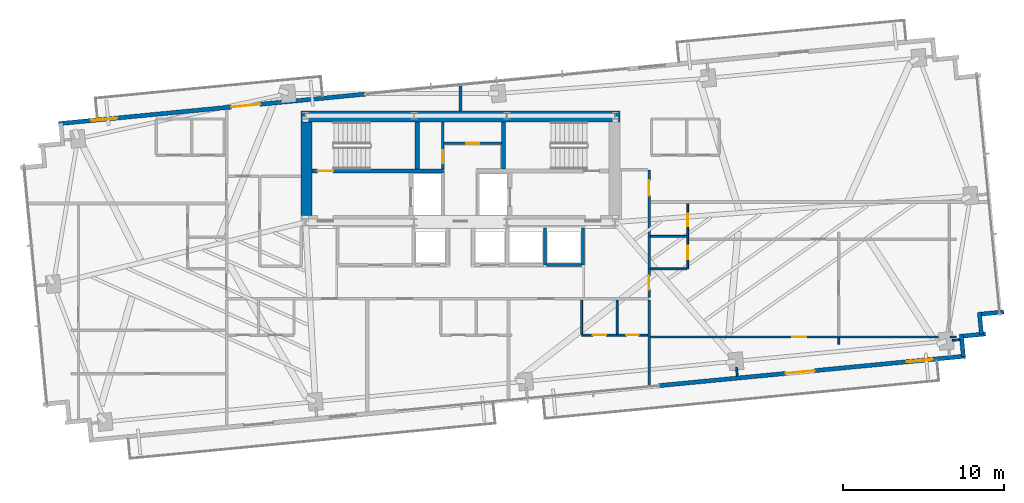
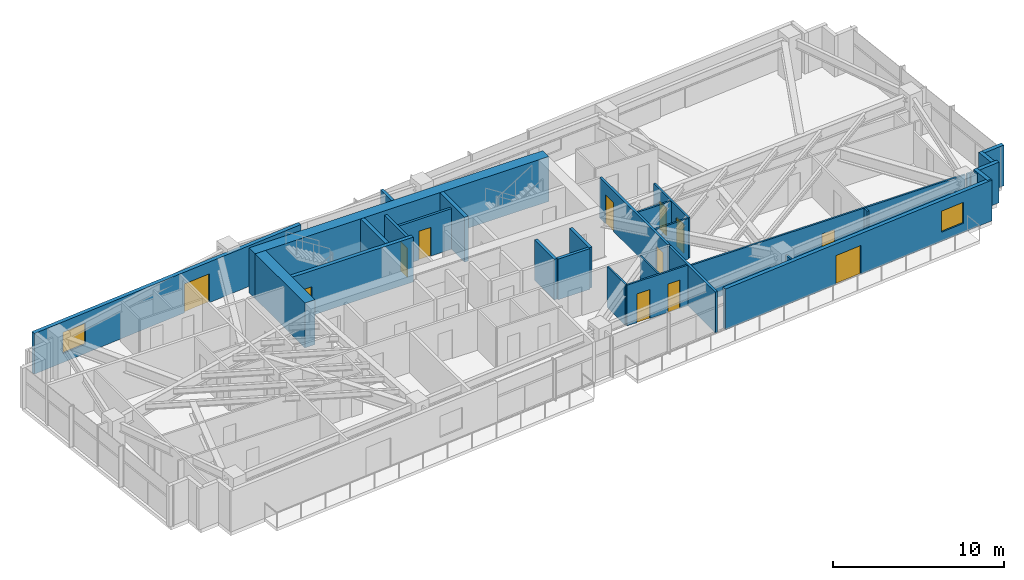
# One storey, part 23 of 27: 30 walls, 12 doors, 2 windows, 14 openings.
"""IFC4 building model written with IfcOpenShell, lengths in metres."""

import ifcopenshell
import ifcopenshell.guid

model = None  # the IFC model being written
_history = None  # IfcOwnerHistory: only IFC2X3 demands one
_inside = {}  # id of a spatial element -> (the spatial element, [elements in it])
_under = {}  # id of a project, library or spatial element -> (it, [spatial elements below it])
_declared = {}  # id of a project -> (the project, [libraries it declares])
_typed = {}  # id of a type object -> (the type object, [elements of that type])
_made_of = {}  # id of a material, layer set ... -> (it, [elements and type objects made of it])


def new_model(schema):
    """Start an empty IFC model of exactly this schema.

    Asked for "IFC4X3", IfcOpenShell would pick the latest addendum, in which some entities
    have other attributes; the version numbers below select the first issue.
    IFC2X3 requires an IfcOwnerHistory on every rooted entity: one is made here for all.
    """
    global model, _history
    if schema == "IFC4X3":
        model = ifcopenshell.file(schema_version=(4, 3, 0, 0))
    else:
        model = ifcopenshell.file(schema=schema)
    _inside.clear()
    _under.clear()
    _declared.clear()
    _typed.clear()
    _made_of.clear()
    _history = None
    if model.schema == "IFC2X3":
        org = make("IfcOrganization", Name="unknown")
        user = make(
            "IfcPersonAndOrganization",
            ThePerson=make("IfcPerson", FamilyName="unknown"),
            TheOrganization=org,
        )
        app = make(
            "IfcApplication",
            ApplicationDeveloper=org,
            Version="unknown",
            ApplicationFullName="unknown",
            ApplicationIdentifier="unknown",
        )
        _history = make(
            "IfcOwnerHistory",
            OwningUser=user,
            OwningApplication=app,
            ChangeAction="ADDED",
            CreationDate=0,
        )
    return model


def make(cls, **values):
    """One entity of the class cls with the attributes given. An attribute that is None is left unset."""
    return model.create_entity(
        cls, **{name: value for name, value in values.items() if value is not None}
    )


def rooted(cls, **values):
    """An entity with a GlobalId (a new one), such as an element, a storey or a relation."""
    return make(cls, GlobalId=ifcopenshell.guid.new(), OwnerHistory=_history, **values)


def si_unit(unit_type, name, prefix=None):
    """IfcSIUnit, for example si_unit("LENGTHUNIT", "METRE", prefix="MILLI")."""
    return make("IfcSIUnit", UnitType=unit_type, Prefix=prefix, Name=name)


def assignment(units):
    """IfcUnitAssignment: the units of a project."""
    return None if units is None else make("IfcUnitAssignment", Units=units)


def point(xyz):
    """IfcCartesianPoint."""
    return None if xyz is None else make("IfcCartesianPoint", Coordinates=xyz)


def direction(xyz):
    """IfcDirection."""
    return None if xyz is None else make("IfcDirection", DirectionRatios=xyz)


def frame(location, z_axis=None, x_axis=None):
    """IfcAxis2Placement3D, a coordinate frame: its origin and axes. An axis left out is left unset."""
    return make(
        "IfcAxis2Placement3D",
        Location=point(location),
        Axis=direction(z_axis),
        RefDirection=direction(x_axis),
    )


def frame_2d(location, x_axis=None):
    """IfcAxis2Placement2D, a coordinate frame in the plane: its origin and x axis."""
    return make(
        "IfcAxis2Placement2D", Location=point(location), RefDirection=direction(x_axis)
    )


def origin():
    """The frame at (0, 0, 0) with its axes left unset."""
    return frame((0.0, 0.0, 0.0))


def place(relative_to, where):
    """IfcLocalPlacement: puts the frame where relative to a parent placement (None: the world)."""
    return make(
        "IfcLocalPlacement", PlacementRelTo=relative_to, RelativePlacement=where
    )


def context(
    kind, dimensions, precision=None, world=None, true_north=None, identifier=None
):
    """IfcGeometricRepresentationContext, for example the 3D "Model" context."""
    return make(
        "IfcGeometricRepresentationContext",
        ContextIdentifier=identifier,
        ContextType=kind,
        CoordinateSpaceDimension=dimensions,
        Precision=precision,
        WorldCoordinateSystem=world,
        TrueNorth=true_north,
    )


def subcontext(parent, identifier, kind, view, scale=None):
    """IfcGeometricRepresentationSubContext, for example "Body" below "Model"."""
    return make(
        "IfcGeometricRepresentationSubContext",
        ContextIdentifier=identifier,
        ContextType=kind,
        ParentContext=parent,
        TargetScale=scale,
        TargetView=view,
    )


def project(units=None, contexts=None):
    """IfcProject with its units and contexts."""
    return rooted(
        "IfcProject",
        Name="project",
        RepresentationContexts=contexts,
        UnitsInContext=assignment(units),
    )


def spatial(cls, under=None, at=None, **own):
    """A site, building, storey or space (cls), placed at a placement, below another one or the project."""
    s = rooted(cls, ObjectPlacement=at, **own)
    if under is not None:
        _under.setdefault(under.id(), (under, []))[1].append(s)
    return s


def profile(cls, at=None, kind="AREA", **sizes):
    """A parametric profile (cls). Its sizes go by their IFC names, for example OverallWidth=200.0."""
    return make(cls, ProfileType=kind, Position=at, **sizes)


def rectangle(**sizes):
    """IfcRectangleProfileDef."""
    return profile("IfcRectangleProfileDef", **sizes)


def extrude(swept, where, along, depth):
    """IfcExtrudedAreaSolid: the profile swept, set in the frame where, extruded along a direction by depth."""
    return make(
        "IfcExtrudedAreaSolid",
        SweptArea=swept,
        Position=where,
        ExtrudedDirection=direction(along),
        Depth=depth,
    )


def shape(context_of_items, identifier, shape_type, items):
    """IfcShapeRepresentation: the items that make up one representation, for example the "Body"."""
    return make(
        "IfcShapeRepresentation",
        ContextOfItems=context_of_items,
        RepresentationIdentifier=identifier,
        RepresentationType=shape_type,
        Items=items,
    )


def source(mapping_origin, context_of_items, identifier, shape_type, items):
    """IfcRepresentationMap: a shape defined once, which mapped items show again and again."""
    return make(
        "IfcRepresentationMap",
        MappingOrigin=mapping_origin,
        MappedRepresentation=shape(context_of_items, identifier, shape_type, items),
    )


def transform(
    local_origin,
    x_axis=None,
    y_axis=None,
    z_axis=None,
    scale=None,
    scale2=None,
    scale3=None,
    uniform=True,
):
    """IfcCartesianTransformationOperator3D, or its non-uniform kind. x_axis, y_axis, z_axis: its Axis1, 2, 3."""
    if uniform:
        return make(
            "IfcCartesianTransformationOperator3D",
            Axis1=direction(x_axis),
            Axis2=direction(y_axis),
            LocalOrigin=point(local_origin),
            Scale=scale,
            Axis3=direction(z_axis),
        )
    return make(
        "IfcCartesianTransformationOperator3DnonUniform",
        Axis1=direction(x_axis),
        Axis2=direction(y_axis),
        LocalOrigin=point(local_origin),
        Scale=scale,
        Axis3=direction(z_axis),
        Scale2=scale2,
        Scale3=scale3,
    )


def mapped(mapping_source, mapping_target):
    """IfcMappedItem: shows the shape of a source again, moved by a transform."""
    return make(
        "IfcMappedItem", MappingSource=mapping_source, MappingTarget=mapping_target
    )


def material(Name=None, Category=None):
    """IfcMaterial."""
    return make("IfcMaterial", Name=Name, Category=Category)


def layer(
    of_material, thickness, ventilated=None, Name=None, Category=None, Priority=None
):
    """IfcMaterialLayer: one layer of a wall or slab, of a material (None: an air gap)."""
    return make(
        "IfcMaterialLayer",
        Material=of_material,
        LayerThickness=thickness,
        IsVentilated=ventilated,
        Name=Name,
        Category=Category,
        Priority=Priority,
    )


def layer_set(layers, Name=None):
    """IfcMaterialLayerSet."""
    return make("IfcMaterialLayerSet", MaterialLayers=layers, LayerSetName=Name)


def made_of(thing, what):
    """Note that an element or type object is made of a material, layer set ...; save() writes the relation."""
    if what is not None:
        _made_of.setdefault(what.id(), (what, []))[1].append(thing)
    return thing


def type_object(cls, material=None, **own):
    """A type object (cls), such as IfcWallType, which elements share."""
    return made_of(rooted(cls, **own), material)


def type_shapes(of_type, sources):
    """Give a type object the sources (RepresentationMaps) that its elements show as mapped items."""
    of_type.RepresentationMaps = sources


def element(
    cls,
    number,
    at=None,
    inside=None,
    cuts=None,
    type_object=None,
    material=None,
    context=None,
    identifier="Body",
    shape_type=None,
    held_by="IfcProductDefinitionShape",
    body=None,
    shapes=None,
    **own,
):
    """One element of the class cls, such as IfcWall. Its Tag is "e" and its number.

    at: its placement. inside: the storey or other place that contains it. cuts: it is an
    opening in that element (IfcRelVoidsElement). A single representation is given by context,
    identifier, shape_type and body (its items); several are given by shapes. held_by: the class
    of the entity that holds the representations. save() writes the other relations.
    """
    e = rooted(cls, Tag="e%d" % number, ObjectPlacement=at, **own)
    if body is not None:
        shapes = [shape(context, identifier, shape_type, body)]
    if shapes is not None:
        e.Representation = make(held_by, Representations=shapes)
    if inside is not None:
        _inside.setdefault(inside.id(), (inside, []))[1].append(e)
    if cuts is not None:
        rooted(
            "IfcRelVoidsElement", RelatingBuildingElement=cuts, RelatedOpeningElement=e
        )
    if type_object is not None:
        _typed.setdefault(type_object.id(), (type_object, []))[1].append(e)
    return made_of(e, material)


def fill(opening, filler):
    """IfcRelFillsElement: the door or window that sits in an opening."""
    return rooted(
        "IfcRelFillsElement",
        RelatingOpeningElement=opening,
        RelatedBuildingElement=filler,
    )


def aggregate(whole, parts):
    """IfcRelAggregates: a whole, such as a stair, and the parts it consists of."""
    return rooted("IfcRelAggregates", RelatingObject=whole, RelatedObjects=parts)


def save(model, path):
    """Write the relations noted so far, then the file.

    IfcRelAggregates (storeys below a building ...), IfcRelContainedInSpatialStructure (elements
    in a storey), IfcRelDefinesByType, IfcRelAssociatesMaterial and IfcRelDeclares: one each for
    every whole, place, type object, material and project.
    """
    for whole, parts in _under.values():
        aggregate(whole, parts)
    for where, things in _inside.values():
        rooted(
            "IfcRelContainedInSpatialStructure",
            RelatedElements=things,
            RelatingStructure=where,
        )
    for kind, things in _typed.values():
        rooted("IfcRelDefinesByType", RelatedObjects=things, RelatingType=kind)
    for what, things in _made_of.values():
        rooted("IfcRelAssociatesMaterial", RelatedObjects=things, RelatingMaterial=what)
    for by, libraries in _declared.values():
        rooted("IfcRelDeclares", RelatingContext=by, RelatedDefinitions=libraries)
    model.write(path)


model = new_model("IFC4")

# Units and contexts
model_context = context("Model", 3, precision=1e-05, world=origin(), true_north=direction((0.0, 1.0)))
body_context = subcontext(model_context, "Body", "Model", "MODEL_VIEW")
ifc_project = project(units=[si_unit("LENGTHUNIT", "METRE"), si_unit("AREAUNIT", "SQUARE_METRE"), si_unit("VOLUMEUNIT", "CUBIC_METRE"), si_unit("PLANEANGLEUNIT", "RADIAN"), si_unit("MASSUNIT", "GRAM", prefix="KILO")], contexts=[model_context])

# Site, building, storey
site_placement = place(None, origin())
site = spatial("IfcSite", under=ifc_project, at=site_placement, CompositionType="ELEMENT")
building_placement = place(site_placement, origin())
building = spatial("IfcBuilding", under=site, at=building_placement, Name="Astriad Promenade Condominiums", CompositionType="ELEMENT")
storey_placement = place(building_placement, frame((0.0, 0.0, 116.199951171875)))
storey = spatial("IfcBuildingStorey", under=building, at=storey_placement, Name="L33", CompositionType="ELEMENT", Elevation=116.199951171875)

# Walls
ifc_material_1 = material(Name="Concrete C60/75", Category="concrete")
ifc_layer_1 = layer(ifc_material_1, 0.699951171875)
ifc_layer_set_1 = layer_set([ifc_layer_1], Name="Concrete C60/75")
wall_type_1 = type_object("IfcWallType", Name="CW-SHEAR-700", PredefinedType="SHEAR", material=ifc_layer_set_1)
wall_1_placement = place(storey_placement, frame((26.10009765625, 23.949951171875, 0.0), z_axis=(0.0, 0.0, 1.0), x_axis=(1.0, 0.0, 0.0)))
element("IfcWall", 1, at=wall_1_placement, inside=storey, type_object=wall_type_1, Name="CW-CORE-N-L33", PredefinedType="SHEAR", context=body_context, shape_type="SweptSolid", body=[
    extrude(rectangle(XDim=19.7998046875, YDim=0.699951171875, at=frame_2d((9.89990234375, 0.0))), origin(), (0.0, 0.0, 1.0), 3.199951171875),
])
wall_2_placement = place(storey_placement, frame((26.449951171875, 17.802001953125, 0.0), z_axis=(0.0, 0.0, 1.0), x_axis=(0.0, 1.0, 0.0)))
element("IfcWall", 2, at=wall_2_placement, inside=storey, type_object=wall_type_1, Name="CW-CORE-W-L33", PredefinedType="SHEAR", context=body_context, shape_type="SweptSolid", body=[
    extrude(rectangle(XDim=5.7958984375, YDim=0.699951171875, at=frame_2d((2.89794921875, 0.0))), origin(), (0.0, 0.0, 1.0), 3.199951171875),
])

# Wall, opening, door
ifc_material_2 = material(Name="Concrete C50/60", Category="concrete")
ifc_layer_2 = layer(ifc_material_2, 0.25)
ifc_layer_set_2 = layer_set([ifc_layer_2], Name="Concrete C50/60")
wall_type_2 = type_object("IfcWallType", Name="WALL-CORE-INT-250", PredefinedType="SOLIDWALL", material=ifc_layer_set_2)
wall_3_placement = place(storey_placement, frame((26.802001953125, 20.574951171875, 0.0), z_axis=(0.0, 0.0, 1.0), x_axis=(1.0, 0.0, 0.0)))
wall_3 = element("IfcWall", 3, at=wall_3_placement, inside=storey, type_object=wall_type_2, Name="CW-INT-H1-L33", PredefinedType="SOLIDWALL", context=body_context, shape_type="SweptSolid", body=[
    extrude(rectangle(XDim=8.14794921875, YDim=0.25, at=frame_2d((4.073974609375, 0.0))), origin(), (0.0, 0.0, 1.0), 3.199951171875),
])
opening_1_placement = place(wall_3_placement, frame((0.347900390625, 0.0, 0.0)))
opening_1 = element("IfcOpeningElement", 4, at=opening_1_placement, cuts=wall_3, Name="Opening FD90-ST-095", PredefinedType="OPENING", context=body_context, shape_type="SweptSolid", body=[
    extrude(rectangle(XDim=0.949951171875, YDim=2.06005859375, at=frame_2d((0.47509765625, 1.030029296875))), frame((0.0, 0.135009765625, 0.0), z_axis=(0.0, -1.0, 0.0), x_axis=(1.0, 0.0, 0.0)), (0.0, 0.0, 1.0), 0.27001953125),
])
ifc_material_3 = material(Name="Fire-Rated Hollow Metal Stair Door")
door_type_1 = type_object("IfcDoorType", Name="FD90-ST-095", OperationType="NOTDEFINED", PredefinedType="DOOR", material=ifc_material_3)
shared_shape_1 = source(origin(), body_context, "Body", "SweptSolid", [
    extrude(rectangle(XDim=0.949951171875, YDim=2.06005859375, at=frame_2d((0.47509765625, 1.030029296875))), frame((0.0, 0.02490234375, 0.0), z_axis=(0.0, -1.0, 0.0), x_axis=(1.0, 0.0, 0.0)), (0.0, 0.0, 1.0), 0.050048828125),
])
type_shapes(door_type_1, [shared_shape_1])
door_1_placement = place(opening_1_placement, origin())
door_1 = element("IfcDoor", 5, at=door_1_placement, inside=storey, type_object=door_type_1, Name="D-ST1-L33", OperationType="SINGLE_SWING_LEFT", OverallHeight=2.06005859375, OverallWidth=0.949951171875, PredefinedType="DOOR", context=body_context, shape_type="MappedRepresentation", body=[
    mapped(shared_shape_1, transform((0.0, 0.0, 0.0), scale=1.0)),
])
fill(opening_1, door_1)

# Walls
for number, where, z_axis, x_axis, name in (
    (6, (33.324951171875, 20.701904296875, 0.0), (0.0, 0.0, 1.0), (0.0, 1.0, 0.0), "CW-ST1-E-L33"),
    (7, (38.675048828125, 20.701904296875, 0.0), (0.0, 0.0, 1.0), (0.0, 1.0, 0.0), "CW-ST2-W-L33"),
):
    element("IfcWall", number, at=place(storey_placement, frame(where, z_axis=z_axis, x_axis=x_axis)), inside=storey, type_object=wall_type_2, Name=name, PredefinedType="SOLIDWALL", context=body_context, shape_type="SweptSolid", body=[
        extrude(rectangle(XDim=2.89599609375, YDim=0.25, at=frame_2d((1.447998046875, 0.0))), origin(), (0.0, 0.0, 1.0), 3.199951171875),
    ])

# Wall, opening, door
ifc_material_4 = material(Name="Fire-Rated Gypsum Partition")
ifc_layer_3 = layer(ifc_material_4, 0.159912109375)
ifc_layer_set_3 = layer_set([ifc_layer_3], Name="Fire-Rated Gypsum Partition")
wall_type_3 = type_object("IfcWallType", Name="WALL-CORR-160", PredefinedType="PARTITIONING", material=ifc_layer_set_3)
wall_4_placement = place(storey_placement, frame((34.89990234375, 20.701904296875, 0.0), z_axis=(0.0, 0.0, 1.0), x_axis=(0.0, 1.0, 0.0)))
wall_4 = element("IfcWall", 8, at=wall_4_placement, inside=storey, type_object=wall_type_3, Name="CW-AUX-W-L33", PredefinedType="PARTITIONING", context=body_context, shape_type="SweptSolid", body=[
    extrude(rectangle(XDim=2.89599609375, YDim=0.159912109375, at=frame_2d((1.447998046875, 0.0))), origin(), (0.0, 0.0, 1.0), 2.900146484375),
])
opening_2_placement = place(wall_4_placement, frame((0.347900390625, 0.0, 0.0)))
opening_2 = element("IfcOpeningElement", 9, at=opening_2_placement, cuts=wall_4, Name="Opening FD60-SV-080", PredefinedType="OPENING", context=body_context, shape_type="SweptSolid", body=[
    extrude(rectangle(XDim=0.800048828125, YDim=2.050048828125, at=frame_2d((0.39990234375, 1.02490234375))), frame((0.0, 0.08984375, 0.0), z_axis=(0.0, -1.0, 0.0), x_axis=(1.0, 0.0, 0.0)), (0.0, 0.0, 1.0), 0.179931640625),
])
ifc_material_5 = material(Name="Fire-Rated Riser Closet Door")
door_type_2 = type_object("IfcDoorType", Name="FD60-SV-080", OperationType="NOTDEFINED", PredefinedType="DOOR", material=ifc_material_5)
shared_shape_2 = source(origin(), body_context, "Body", "SweptSolid", [
    extrude(rectangle(XDim=0.800048828125, YDim=2.050048828125, at=frame_2d((0.39990234375, 1.02490234375))), frame((0.0, 0.02490234375, 0.0), z_axis=(0.0, -1.0, 0.0), x_axis=(1.0, 0.0, 0.0)), (0.0, 0.0, 1.0), 0.050048828125),
])
type_shapes(door_type_2, [shared_shape_2])
door_2_placement = place(opening_2_placement, origin())
door_2 = element("IfcDoor", 10, at=door_2_placement, inside=storey, type_object=door_type_2, Name="D-AUX1-L33", OperationType="SINGLE_SWING_LEFT", OverallHeight=2.050048828125, OverallWidth=0.800048828125, PredefinedType="DOOR", context=body_context, shape_type="MappedRepresentation", body=[
    mapped(shared_shape_2, transform((0.0, 0.0, 0.0), scale=1.0)),
])
fill(opening_2, door_2)

wall_5_placement = place(storey_placement, frame((34.98193359375, 22.300048828125, 0.0), z_axis=(0.0, 0.0, 1.0), x_axis=(1.0, 0.0, 0.0)))
wall_5 = element("IfcWall", 11, at=wall_5_placement, inside=storey, type_object=wall_type_3, Name="CW-AUX-N-L33", PredefinedType="PARTITIONING", context=body_context, shape_type="SweptSolid", body=[
    extrude(rectangle(XDim=3.566162109375, YDim=0.159912109375, at=frame_2d((1.783203125, 0.0))), origin(), (0.0, 0.0, 1.0), 2.900146484375),
])
opening_3_placement = place(wall_5_placement, frame((1.3779296875, 0.0, 0.0)))
opening_3 = element("IfcOpeningElement", 12, at=opening_3_placement, cuts=wall_5, Name="Opening FD60-SV-080", PredefinedType="OPENING", context=body_context, shape_type="SweptSolid", body=[
    extrude(rectangle(XDim=0.800048828125, YDim=2.050048828125, at=frame_2d((0.39990234375, 1.02490234375))), frame((0.0, 0.08984375, 0.0), z_axis=(0.0, -1.0, 0.0), x_axis=(1.0, 0.0, 0.0)), (0.0, 0.0, 1.0), 0.179931640625),
])
door_3_placement = place(opening_3_placement, origin())
door_3 = element("IfcDoor", 13, at=door_3_placement, inside=storey, type_object=door_type_2, Name="D-AUX2-L33", OperationType="SINGLE_SWING_RIGHT", OverallHeight=2.050048828125, OverallWidth=0.800048828125, PredefinedType="DOOR", context=body_context, shape_type="MappedRepresentation", body=[
    mapped(shared_shape_2, transform((0.0, 0.0, 0.0), scale=1.0)),
])
fill(opening_3, door_3)

# Wall
wall_6_placement = place(storey_placement, frame((47.699951171875, 7.152587890625, 0.0), z_axis=(0.0, 0.0, 1.0), x_axis=(0.0, 1.0, 0.0)))
element("IfcWall", 14, at=wall_6_placement, inside=storey, type_object=wall_type_3, Name="PT-COR-E-L33", PredefinedType="PARTITIONING", context=body_context, shape_type="SweptSolid", body=[
    extrude(rectangle(XDim=5.41552734375, YDim=0.159912109375, at=frame_2d((2.707763671875, 0.0))), origin(), (0.0, 0.0, 1.0), 2.900146484375),
])

# Wall, openings, doors
wall_7_placement = place(storey_placement, frame((47.699951171875, 12.73193359375, 0.0), z_axis=(0.0, 0.0, 1.0), x_axis=(0.0, 1.0, 0.0)))
wall_7 = element("IfcWall", 15, at=wall_7_placement, inside=storey, type_object=wall_type_3, Name="PT-COR-E-L33-S2", PredefinedType="PARTITIONING", context=body_context, shape_type="SweptSolid", body=[
    extrude(rectangle(XDim=7.91796875, YDim=0.159912109375, at=frame_2d((3.958984375, 0.0))), origin(), (0.0, 0.0, 1.0), 2.900146484375),
])
opening_4_placement = place(wall_7_placement, frame((0.492919921875, 0.0, 0.0)))
opening_4 = element("IfcOpeningElement", 16, at=opening_4_placement, cuts=wall_7, Name="Opening FD60-ULOW-085", PredefinedType="OPENING", context=body_context, shape_type="SweptSolid", body=[
    extrude(rectangle(XDim=0.85009765625, YDim=2.0, at=frame_2d((0.425048828125, 1.0))), frame((0.0, 0.08984375, 0.0), z_axis=(0.0, -1.0, 0.0), x_axis=(1.0, 0.0, 0.0)), (0.0, 0.0, 1.0), 0.179931640625),
])
opening_5_placement = place(wall_7_placement, frame((6.31103515625, 0.0, 0.0)))
opening_5 = element("IfcOpeningElement", 17, at=opening_5_placement, cuts=wall_7, Name="Opening FD60-APT-095", PredefinedType="OPENING", context=body_context, shape_type="SweptSolid", body=[
    extrude(rectangle(XDim=0.949951171875, YDim=2.06005859375, at=frame_2d((0.47509765625, 1.030029296875))), frame((0.0, 0.08984375, 0.0), z_axis=(0.0, -1.0, 0.0), x_axis=(1.0, 0.0, 0.0)), (0.0, 0.0, 1.0), 0.179931640625),
])
ifc_material_6 = material(Name="Solid-Core Acoustic Timber Residence Entry Door", Category="wood")
door_type_3 = type_object("IfcDoorType", Name="FD60-APT-095", OperationType="NOTDEFINED", PredefinedType="DOOR", material=ifc_material_6)
shared_shape_3 = source(origin(), body_context, "Body", "SweptSolid", [
    extrude(rectangle(XDim=0.949951171875, YDim=2.06005859375, at=frame_2d((0.47509765625, 1.030029296875))), frame((0.0, 0.02490234375, 0.0), z_axis=(0.0, -1.0, 0.0), x_axis=(1.0, 0.0, 0.0)), (0.0, 0.0, 1.0), 0.050048828125),
])
type_shapes(door_type_3, [shared_shape_3])
door_4_placement = place(opening_5_placement, origin())
door_4 = element("IfcDoor", 18, at=door_4_placement, inside=storey, type_object=door_type_3, Name="D-ENT-L33-E2", OperationType="SINGLE_SWING_LEFT", OverallHeight=2.06005859375, OverallWidth=0.949951171875, PredefinedType="DOOR", context=body_context, shape_type="MappedRepresentation", body=[
    mapped(shared_shape_3, transform((0.0, 0.0, 0.0), scale=1.0)),
])
fill(opening_5, door_4)
ifc_material_7 = material(Name="Solid-Core Low-Headroom Fire Door")
door_type_4 = type_object("IfcDoorType", Name="FD60-ULOW-085", OperationType="NOTDEFINED", PredefinedType="DOOR", material=ifc_material_7)
shared_shape_4 = source(origin(), body_context, "Body", "SweptSolid", [
    extrude(rectangle(XDim=0.85009765625, YDim=2.0, at=frame_2d((0.425048828125, 1.0))), frame((0.0, 0.02490234375, 0.0), z_axis=(0.0, -1.0, 0.0), x_axis=(1.0, 0.0, 0.0)), (0.0, 0.0, 1.0), 0.050048828125),
])
type_shapes(door_type_4, [shared_shape_4])
door_5_placement = place(opening_4_placement, origin())
door_5 = element("IfcDoor", 19, at=door_5_placement, inside=storey, type_object=door_type_4, Name="D-ENT-L33-E1", OperationType="SINGLE_SWING_RIGHT", OverallHeight=2.0, OverallWidth=0.85009765625, PredefinedType="DOOR", context=body_context, shape_type="MappedRepresentation", body=[
    mapped(shared_shape_4, transform((0.0, 0.0, 0.0), scale=1.0)),
])
fill(opening_4, door_5)

# Wall
ifc_material_8 = material(Name="Acoustic Double-Stud Gypsum Partition")
ifc_layer_4 = layer(ifc_material_8, 0.199951171875)
ifc_layer_set_4 = layer_set([ifc_layer_4], Name="Acoustic Double-Stud Gypsum Partition")
wall_type_4 = type_object("IfcWallType", Name="WALL-DEMISING-200", PredefinedType="PARTITIONING", material=ifc_layer_set_4)
wall_8_placement = place(storey_placement, frame((36.0, 24.302001953125, 0.0), z_axis=(0.0, 0.0, 1.0), x_axis=(0.0, 1.0, 0.0)))
element("IfcWall", 20, at=wall_8_placement, inside=storey, type_object=wall_type_4, Name="PT-NC-MID-L33", PredefinedType="PARTITIONING", context=body_context, shape_type="SweptSolid", body=[
    extrude(rectangle(XDim=1.65576171875, YDim=0.199951171875, at=frame_2d((0.827880859375, 0.0))), origin(), (0.0, 0.0, 1.0), 2.900146484375),
])

# Wall, openings, door, window
ifc_material_9 = material(Name="Precast concrete C50/60", Category="concrete")
ifc_layer_5 = layer(ifc_material_9, 0.260009765625)
ifc_layer_set_5 = layer_set([ifc_layer_5], Name="Precast concrete C50/60")
wall_type_5 = type_object("IfcWallType", Name="WALL-EXT-TWR-260", PredefinedType="STANDARD", material=ifc_layer_set_5)
wall_9_placement = place(storey_placement, frame((11.07958984375, 23.508056640625, 0.0), z_axis=(0.0, 0.0, 1.0), x_axis=(0.995396638587, 0.095841180552, 0.0)))
wall_9 = element("IfcWall", 21, at=wall_9_placement, inside=storey, type_object=wall_type_5, Name="W-EXT-L33-N1", PredefinedType="STANDARD", context=body_context, shape_type="SweptSolid", body=[
    extrude(rectangle(XDim=19.110107421875, YDim=0.260009765625, at=frame_2d((9.55517578125, 0.0))), origin(), (0.0, 0.0, 1.0), 2.900146484375),
])
opening_6_placement = place(wall_9_placement, frame((10.75390625, 0.0, 0.0)))
opening_6 = element("IfcOpeningElement", 22, at=opening_6_placement, cuts=wall_9, Name="Opening BD-1822-SLD", PredefinedType="OPENING", context=body_context, shape_type="SweptSolid", body=[
    extrude(rectangle(XDim=1.800048828125, YDim=2.06005859375, at=frame_2d((0.89990234375, 1.030029296875))), frame((0.0, 0.139892578125, 0.0), z_axis=(0.0, -1.0, 0.0), x_axis=(1.0, 0.0, 0.0)), (0.0, 0.0, 1.0), 0.280029296875),
])
opening_7_placement = place(wall_9_placement, frame((2.050048828125, 0.0, 0.64990234375)))
opening_7 = element("IfcOpeningElement", 23, at=opening_7_placement, cuts=wall_9, Name="Opening WIN-TWR-1620", PredefinedType="OPENING", context=body_context, shape_type="SweptSolid", body=[
    extrude(rectangle(XDim=1.60009765625, YDim=1.5, at=frame_2d((0.800048828125, 0.75))), frame((0.0, 0.139892578125, 0.0), z_axis=(0.0, -1.0, 0.0), x_axis=(1.0, 0.0, 0.0)), (0.0, 0.0, 1.0), 0.280029296875),
])
ifc_material_10 = material(Name="Thermally Broken Aluminium Sliding Balcony Door", Category="aluminium")
door_type_5 = type_object("IfcDoorType", Name="BD-1822-SLD", OperationType="NOTDEFINED", PredefinedType="DOOR", material=ifc_material_10)
shared_shape_5 = source(origin(), body_context, "Body", "SweptSolid", [
    extrude(rectangle(XDim=1.800048828125, YDim=2.06005859375, at=frame_2d((0.89990234375, 1.030029296875))), frame((0.0, 0.02490234375, 0.0), z_axis=(0.0, -1.0, 0.0), x_axis=(1.0, 0.0, 0.0)), (0.0, 0.0, 1.0), 0.050048828125),
])
type_shapes(door_type_5, [shared_shape_5])
door_6_placement = place(opening_6_placement, origin())
door_6 = element("IfcDoor", 24, at=door_6_placement, inside=storey, type_object=door_type_5, Name="BD-L33-NW", OperationType="SLIDING_TO_LEFT", OverallHeight=2.06005859375, OverallWidth=1.800048828125, PredefinedType="DOOR", context=body_context, shape_type="MappedRepresentation", body=[
    mapped(shared_shape_5, transform((0.0, 0.0, 0.0), scale=1.0)),
])
fill(opening_6, door_6)
ifc_material_11 = material(Name="Dark Tinted Triple-Glazed Aluminium Window", Category="aluminium")
window_type = type_object("IfcWindowType", Name="WIN-TWR-1620", PartitioningType="SINGLE_PANEL", PredefinedType="WINDOW", material=ifc_material_11)
shared_shape_6 = source(origin(), body_context, "Body", "SweptSolid", [
    extrude(rectangle(XDim=1.60009765625, YDim=1.5, at=frame_2d((0.800048828125, 0.75))), frame((0.0, 0.030029296875, 0.0), z_axis=(0.0, -1.0, 0.0), x_axis=(1.0, 0.0, 0.0)), (0.0, 0.0, 1.0), 0.06005859375),
])
type_shapes(window_type, [shared_shape_6])
window_1_placement = place(opening_7_placement, origin())
window_1 = element("IfcWindow", 25, at=window_1_placement, inside=storey, type_object=window_type, Name="WIN-L33-NW", OverallHeight=1.5, OverallWidth=1.60009765625, PartitioningType="SINGLE_PANEL", PredefinedType="WINDOW", context=body_context, shape_type="MappedRepresentation", body=[
    mapped(shared_shape_6, transform((0.0, 0.0, 0.0), scale=1.0)),
])
fill(opening_7, window_1)

# Walls
for number, where, z_axis, x_axis, name in (
    (26, (69.698486328125, 11.83251953125, 0.0), (0.0, 0.0, 1.0), (-0.99540614245, -0.095742423056, 0.0), "W-SER-L33-14"),
    (27, (68.18310546875, 11.817138671875, 0.0), (0.0, 0.0, 1.0), (0.095915846097, -0.995389446633, 0.0), "W-SER-L33-15"),
):
    element("IfcWall", number, at=place(storey_placement, frame(where, z_axis=z_axis, x_axis=x_axis)), inside=storey, type_object=wall_type_5, Name=name, PredefinedType="STANDARD", context=body_context, shape_type="SweptSolid", body=[
        extrude(rectangle(XDim=1.394775390625, YDim=0.260009765625, at=frame_2d((0.697265625, 0.0))), origin(), (0.0, 0.0, 1.0), 2.900146484375),
    ])
wall_10_placement = place(storey_placement, frame((68.57421875, 10.468505859375, 0.0), z_axis=(0.0, 0.0, 1.0), x_axis=(-0.99540774648, -0.095725744959, 0.0)))
element("IfcWall", 28, at=wall_10_placement, inside=storey, type_object=wall_type_5, Name="W-SER-L33-16", PredefinedType="STANDARD", context=body_context, shape_type="SweptSolid", body=[
    extrude(rectangle(XDim=1.39501953125, YDim=0.260009765625, at=frame_2d((0.697509765625, 0.0))), origin(), (0.0, 0.0, 1.0), 2.900146484375),
])
wall_11_placement = place(storey_placement, frame((67.05859375, 10.453125, 0.0), z_axis=(0.0, 0.0, 1.0), x_axis=(0.095915846097, -0.995389446633, 0.0)))
element("IfcWall", 29, at=wall_11_placement, inside=storey, type_object=wall_type_5, Name="W-SER-L33-17", PredefinedType="STANDARD", context=body_context, shape_type="SweptSolid", body=[
    extrude(rectangle(XDim=1.394775390625, YDim=0.260009765625, at=frame_2d((0.697265625, 0.0))), origin(), (0.0, 0.0, 1.0), 2.900146484375),
])

# Wall, openings, door, window
wall_12_placement = place(storey_placement, frame((67.3203125, 9.092041015625, 0.0), z_axis=(0.0, 0.0, 1.0), x_axis=(-0.995396521236, -0.095842399342, 0.0)))
wall_12 = element("IfcWall", 30, at=wall_12_placement, inside=storey, type_object=wall_type_5, Name="W-EXT-L33-S1", PredefinedType="STANDARD", context=body_context, shape_type="SweptSolid", body=[
    extrude(rectangle(XDim=19.10986328125, YDim=0.260009765625, at=frame_2d((9.554931640625, 0.0))), origin(), (0.0, 0.0, 1.0), 2.900146484375),
])
opening_8_placement = place(wall_12_placement, frame((9.406005859375, 0.0, 0.0)))
opening_8 = element("IfcOpeningElement", 31, at=opening_8_placement, cuts=wall_12, Name="Opening BD-1822-SLD", PredefinedType="OPENING", context=body_context, shape_type="SweptSolid", body=[
    extrude(rectangle(XDim=1.800048828125, YDim=2.06005859375, at=frame_2d((0.89990234375, 1.030029296875))), frame((0.0, 0.139892578125, 0.0), z_axis=(0.0, -1.0, 0.0), x_axis=(1.0, 0.0, 0.0)), (0.0, 0.0, 1.0), 0.280029296875),
])
opening_9_placement = place(wall_12_placement, frame((2.050048828125, 0.0, 0.64990234375)))
opening_9 = element("IfcOpeningElement", 32, at=opening_9_placement, cuts=wall_12, Name="Opening WIN-TWR-1620", PredefinedType="OPENING", context=body_context, shape_type="SweptSolid", body=[
    extrude(rectangle(XDim=1.60009765625, YDim=1.5, at=frame_2d((0.800048828125, 0.75))), frame((0.0, 0.139892578125, 0.0), z_axis=(0.0, -1.0, 0.0), x_axis=(1.0, 0.0, 0.0)), (0.0, 0.0, 1.0), 0.280029296875),
])
door_7_placement = place(opening_8_placement, origin())
door_7 = element("IfcDoor", 33, at=door_7_placement, inside=storey, type_object=door_type_5, Name="BD-L33-SE", OperationType="SLIDING_TO_RIGHT", OverallHeight=2.06005859375, OverallWidth=1.800048828125, PredefinedType="DOOR", context=body_context, shape_type="MappedRepresentation", body=[
    mapped(shared_shape_5, transform((0.0, 0.0, 0.0), scale=1.0)),
])
fill(opening_8, door_7)
window_2_placement = place(opening_9_placement, origin())
window_2 = element("IfcWindow", 34, at=window_2_placement, inside=storey, type_object=window_type, Name="WIN-L33-SE", OverallHeight=1.5, OverallWidth=1.60009765625, PartitioningType="SINGLE_PANEL", PredefinedType="WINDOW", context=body_context, shape_type="MappedRepresentation", body=[
    mapped(shared_shape_6, transform((0.0, 0.0, 0.0), scale=1.0)),
])
fill(opening_9, window_2)

# Wall, openings, doors
ifc_material_12 = material(Name="Acoustic Metal-Stud Gypsum Partition")
ifc_layer_6 = layer(ifc_material_12, 0.1201171875)
ifc_layer_set_6 = layer_set([ifc_layer_6], Name="Acoustic Metal-Stud Gypsum Partition")
wall_type_6 = type_object("IfcWallType", Name="WALL-PART-120", PredefinedType="PARTITIONING", material=ifc_layer_set_6)
wall_13_placement = place(storey_placement, frame((43.52001953125, 10.39990234375, 0.0), z_axis=(0.0, 0.0, 1.0), x_axis=(1.0, 0.0, 0.0)))
wall_13 = element("IfcWall", 35, at=wall_13_placement, inside=storey, type_object=wall_type_6, Name="PT-L33-S3-PS", PredefinedType="PARTITIONING", context=body_context, shape_type="SweptSolid", body=[
    extrude(rectangle(XDim=4.097900390625, YDim=0.1201171875, at=frame_2d((2.048828125, 0.0))), origin(), (0.0, 0.0, 1.0), 2.900146484375),
])
opening_10_placement = place(wall_13_placement, frame((0.675048828125, 0.0, 0.0)))
opening_10 = element("IfcOpeningElement", 36, at=opening_10_placement, cuts=wall_13, Name="Opening D-INT-085", PredefinedType="OPENING", context=body_context, shape_type="SweptSolid", body=[
    extrude(rectangle(XDim=0.85009765625, YDim=2.050048828125, at=frame_2d((0.425048828125, 1.02490234375))), frame((0.0, 0.070068359375, 0.0), z_axis=(0.0, -1.0, 0.0), x_axis=(1.0, 0.0, 0.0)), (0.0, 0.0, 1.0), 0.14013671875),
])
opening_11_placement = place(wall_13_placement, frame((2.75, 0.0, 0.0)))
opening_11 = element("IfcOpeningElement", 37, at=opening_11_placement, cuts=wall_13, Name="Opening D-WET-080", PredefinedType="OPENING", context=body_context, shape_type="SweptSolid", body=[
    extrude(rectangle(XDim=0.800048828125, YDim=2.02001953125, at=frame_2d((0.39990234375, 1.010009765625))), frame((0.0, 0.070068359375, 0.0), z_axis=(0.0, -1.0, 0.0), x_axis=(1.0, 0.0, 0.0)), (0.0, 0.0, 1.0), 0.14013671875),
])
ifc_material_13 = material(Name="Moisture-Resistant Timber Bathroom Door", Category="wood")
door_type_6 = type_object("IfcDoorType", Name="D-WET-080", OperationType="NOTDEFINED", PredefinedType="DOOR", material=ifc_material_13)
shared_shape_7 = source(origin(), body_context, "Body", "SweptSolid", [
    extrude(rectangle(XDim=0.800048828125, YDim=2.02001953125, at=frame_2d((0.39990234375, 1.010009765625))), frame((0.0, 0.02490234375, 0.0), z_axis=(0.0, -1.0, 0.0), x_axis=(1.0, 0.0, 0.0)), (0.0, 0.0, 1.0), 0.050048828125),
])
type_shapes(door_type_6, [shared_shape_7])
door_8_placement = place(opening_11_placement, origin())
door_8 = element("IfcDoor", 38, at=door_8_placement, inside=storey, type_object=door_type_6, Name="D-BTH-L33-S3", OperationType="SINGLE_SWING_RIGHT", OverallHeight=2.02001953125, OverallWidth=0.800048828125, PredefinedType="DOOR", context=body_context, shape_type="MappedRepresentation", body=[
    mapped(shared_shape_7, transform((0.0, 0.0, 0.0), scale=1.0)),
])
fill(opening_11, door_8)
ifc_material_14 = material(Name="Painted Solid-Core Timber Room Door", Category="wood")
door_type_7 = type_object("IfcDoorType", Name="D-INT-085", OperationType="NOTDEFINED", PredefinedType="DOOR", material=ifc_material_14)
shared_shape_8 = source(origin(), body_context, "Body", "SweptSolid", [
    extrude(rectangle(XDim=0.85009765625, YDim=2.050048828125, at=frame_2d((0.425048828125, 1.02490234375))), frame((0.0, 0.02490234375, 0.0), z_axis=(0.0, -1.0, 0.0), x_axis=(1.0, 0.0, 0.0)), (0.0, 0.0, 1.0), 0.050048828125),
])
type_shapes(door_type_7, [shared_shape_8])
door_9_placement = place(opening_10_placement, origin())
door_9 = element("IfcDoor", 39, at=door_9_placement, inside=storey, type_object=door_type_7, Name="D-KIT-L33-S3", OperationType="SINGLE_SWING_LEFT", OverallHeight=2.050048828125, OverallWidth=0.85009765625, PredefinedType="DOOR", context=body_context, shape_type="MappedRepresentation", body=[
    mapped(shared_shape_8, transform((0.0, 0.0, 0.0), scale=1.0)),
])
fill(opening_10, door_9)

# Walls
for number, where, z_axis, x_axis, name in (
    (40, (43.52001953125, 10.4619140625, 0.0), (0.0, 0.0, 1.0), (0.0, 1.0, 0.0), "PT-L33-S3-PK"),
    (41, (45.719970703125, 10.4619140625, 0.0), (0.0, 0.0, 1.0), (0.0, 1.0, 0.0), "PT-L33-S3-PB"),
):
    element("IfcWall", number, at=place(storey_placement, frame(where, z_axis=z_axis, x_axis=x_axis)), inside=storey, type_object=wall_type_6, Name=name, PredefinedType="PARTITIONING", context=body_context, shape_type="SweptSolid", body=[
        extrude(rectangle(XDim=2.106201171875, YDim=0.1201171875, at=frame_2d((1.05322265625, 0.0))), origin(), (0.0, 0.0, 1.0), 2.900146484375),
    ])

# Wall, openings, doors
wall_14_placement = place(storey_placement, frame((50.10009765625, 14.5, 0.0), z_axis=(0.0, 0.0, 1.0), x_axis=(0.0, 1.0, 0.0)))
wall_14 = element("IfcWall", 42, at=wall_14_placement, inside=storey, type_object=wall_type_6, Name="PT-L33-E1-PV", PredefinedType="PARTITIONING", context=body_context, shape_type="SweptSolid", body=[
    extrude(rectangle(XDim=4.048095703125, YDim=0.1201171875, at=frame_2d((2.02392578125, 0.0))), origin(), (0.0, 0.0, 1.0), 2.900146484375),
])
opening_12_placement = place(wall_14_placement, frame((0.5869140625, 0.0, 0.0)))
opening_12 = element("IfcOpeningElement", 43, at=opening_12_placement, cuts=wall_14, Name="Opening D-INT-085", PredefinedType="OPENING", context=body_context, shape_type="SweptSolid", body=[
    extrude(rectangle(XDim=0.85009765625, YDim=2.050048828125, at=frame_2d((0.425048828125, 1.02490234375))), frame((0.0, 0.070068359375, 0.0), z_axis=(0.0, -1.0, 0.0), x_axis=(1.0, 0.0, 0.0)), (0.0, 0.0, 1.0), 0.14013671875),
])
opening_13_placement = place(wall_14_placement, frame((2.637939453125, 0.0, 0.0)))
opening_13 = element("IfcOpeningElement", 44, at=opening_13_placement, cuts=wall_14, Name="Opening D-ULOW-080", PredefinedType="OPENING", context=body_context, shape_type="SweptSolid", body=[
    extrude(rectangle(XDim=0.800048828125, YDim=2.0, at=frame_2d((0.39990234375, 1.0))), frame((0.0, 0.070068359375, 0.0), z_axis=(0.0, -1.0, 0.0), x_axis=(1.0, 0.0, 0.0)), (0.0, 0.0, 1.0), 0.14013671875),
])
door_10_placement = place(opening_12_placement, origin())
door_10 = element("IfcDoor", 45, at=door_10_placement, inside=storey, type_object=door_type_7, Name="D-KIT-L33-E1", OperationType="SINGLE_SWING_LEFT", OverallHeight=2.050048828125, OverallWidth=0.85009765625, PredefinedType="DOOR", context=body_context, shape_type="MappedRepresentation", body=[
    mapped(shared_shape_8, transform((0.0, 0.0, 0.0), scale=1.0)),
])
fill(opening_12, door_10)
ifc_material_15 = material(Name="Painted Timber Low-Headroom Door", Category="wood")
door_type_8 = type_object("IfcDoorType", Name="D-ULOW-080", OperationType="NOTDEFINED", PredefinedType="DOOR", material=ifc_material_15)
shared_shape_9 = source(origin(), body_context, "Body", "SweptSolid", [
    extrude(rectangle(XDim=0.800048828125, YDim=2.0, at=frame_2d((0.39990234375, 1.0))), frame((0.0, 0.02490234375, 0.0), z_axis=(0.0, -1.0, 0.0), x_axis=(1.0, 0.0, 0.0)), (0.0, 0.0, 1.0), 0.050048828125),
])
type_shapes(door_type_8, [shared_shape_9])
door_11_placement = place(opening_13_placement, origin())
door_11 = element("IfcDoor", 46, at=door_11_placement, inside=storey, type_object=door_type_8, Name="D-BTH-L33-E1", OperationType="SINGLE_SWING_RIGHT", OverallHeight=2.0, OverallWidth=0.800048828125, PredefinedType="DOOR", context=body_context, shape_type="MappedRepresentation", body=[
    mapped(shared_shape_9, transform((0.0, 0.0, 0.0), scale=1.0)),
])
fill(opening_13, door_11)

# Walls
for number, where, z_axis, x_axis, name in (
    (47, (47.781982421875, 16.52490234375, 0.0), (0.0, 0.0, 1.0), (1.0, 0.0, 0.0), "PT-L33-E1-PM"),
    (48, (47.781982421875, 14.5, 0.0), (0.0, 0.0, 1.0), (1.0, 0.0, 0.0), "PT-L33-E1-PS"),
):
    element("IfcWall", number, at=place(storey_placement, frame(where, z_axis=z_axis, x_axis=x_axis)), inside=storey, type_object=wall_type_6, Name=name, PredefinedType="PARTITIONING", context=body_context, shape_type="SweptSolid", body=[
        extrude(rectangle(XDim=2.256103515625, YDim=0.1201171875, at=frame_2d((1.1279296875, 0.0))), origin(), (0.0, 0.0, 1.0), 2.900146484375),
    ])

# Wall, opening, door
wall_15_placement = place(storey_placement, frame((47.781982421875, 10.281005859375, 0.0), z_axis=(0.0, 0.0, 1.0), x_axis=(1.0, 0.0, 0.0)))
wall_15 = element("IfcWall", 49, at=wall_15_placement, inside=storey, type_object=wall_type_6, Name="PT-L33-E1-WDS1", PredefinedType="PARTITIONING", context=body_context, shape_type="SweptSolid", body=[
    extrude(rectangle(XDim=18.471923828125, YDim=0.1201171875, at=frame_2d((9.23583984375, 0.0))), origin(), (0.0, 0.0, 1.0), 2.900146484375),
])
opening_14_placement = place(wall_15_placement, frame((8.81103515625, 0.0, 0.0)))
opening_14 = element("IfcOpeningElement", 50, at=opening_14_placement, cuts=wall_15, Name="Opening D-INT-085", PredefinedType="OPENING", context=body_context, shape_type="SweptSolid", body=[
    extrude(rectangle(XDim=0.85009765625, YDim=2.050048828125, at=frame_2d((0.425048828125, 1.02490234375))), frame((0.0, 0.070068359375, 0.0), z_axis=(0.0, -1.0, 0.0), x_axis=(1.0, 0.0, 0.0)), (0.0, 0.0, 1.0), 0.14013671875),
])
door_12_placement = place(opening_14_placement, origin())
door_12 = element("IfcDoor", 51, at=door_12_placement, inside=storey, type_object=door_type_7, Name="D-WDS1-L33-E1", OperationType="SINGLE_SWING_RIGHT", OverallHeight=2.050048828125, OverallWidth=0.85009765625, PredefinedType="DOOR", context=body_context, shape_type="MappedRepresentation", body=[
    mapped(shared_shape_8, transform((0.0, 0.0, 0.0), scale=1.0)),
])
fill(opening_14, door_12)

# Walls
wall_16_placement = place(storey_placement, frame((66.3779296875, 10.281005859375, 0.0), z_axis=(0.0, 0.0, 1.0), x_axis=(1.0, 0.0, 0.0)))
element("IfcWall", 52, at=wall_16_placement, inside=storey, type_object=wall_type_6, Name="PT-L33-E1-WDS1-S2", PredefinedType="PARTITIONING", context=body_context, shape_type="SweptSolid", body=[
    extrude(rectangle(XDim=0.378173828125, YDim=0.1201171875, at=frame_2d((0.18896484375, 0.0))), origin(), (0.0, 0.0, 1.0), 2.900146484375),
])
wall_17_placement = place(storey_placement, frame((59.469970703125, 9.841064453125, 0.0), z_axis=(0.0, 0.0, 1.0), x_axis=(0.0, 1.0, 0.0)))
element("IfcWall", 53, at=wall_17_placement, inside=storey, type_object=wall_type_6, Name="PT-L33-E1-WDV3", PredefinedType="PARTITIONING", context=body_context, shape_type="SweptSolid", body=[
    extrude(rectangle(XDim=0.3779296875, YDim=0.1201171875, at=frame_2d((0.18896484375, 0.0))), origin(), (0.0, 0.0, 1.0), 2.900146484375),
])
wall_18_placement = place(storey_placement, frame((53.121337890625, 8.39794921875, 0.0), z_axis=(0.0, 0.0, 1.0), x_axis=(0.096179204763, -0.995364034196, 0.0)))
element("IfcWall", 54, at=wall_18_placement, inside=storey, type_object=wall_type_6, Name="PT-PIL-L33-PC04-11", PredefinedType="PARTITIONING", context=body_context, shape_type="SweptSolid", body=[
    extrude(rectangle(XDim=0.5380859375, YDim=0.1201171875, at=frame_2d((0.26904296875, 0.0))), origin(), (0.0, 0.0, 1.0), 2.900146484375),
])
wall_19_placement = place(storey_placement, frame((66.5029296875, 10.068115234375, 0.0), z_axis=(0.0, 0.0, 1.0), x_axis=(0.995389482415, 0.095915474751, 0.0)))
element("IfcWall", 55, at=wall_19_placement, inside=storey, type_object=wall_type_6, Name="PT-PIL-L33-PC05-12", PredefinedType="PARTITIONING", context=body_context, shape_type="SweptSolid", body=[
    extrude(rectangle(XDim=0.458251953125, YDim=0.1201171875, at=frame_2d((0.22900390625, 0.0))), origin(), (0.0, 0.0, 1.0), 2.900146484375),
])
ifc_material_16 = material(Name="Gypsum Shaftliner Assembly")
ifc_layer_7 = layer(ifc_material_16, 0.199951171875)
ifc_layer_set_7 = layer_set([ifc_layer_7], Name="Gypsum Shaftliner Assembly")
wall_type_7 = type_object("IfcWallType", Name="WALL-SHAFT-200", PredefinedType="PARTITIONING", material=ifc_layer_set_7)
for number, where, z_axis, x_axis, name in (
    (56, (41.25, 14.75, 0.0), (0.0, 0.0, 1.0), (0.0, 1.0, 0.0), "PL-H-DIV-L33"),
    (57, (43.60009765625, 14.75, 0.0), (0.0, 0.0, 1.0), (0.0, 1.0, 0.0), "PL-E-OUT-L33"),
):
    element("IfcWall", number, at=place(storey_placement, frame(where, z_axis=z_axis, x_axis=x_axis)), inside=storey, type_object=wall_type_7, Name=name, PredefinedType="PARTITIONING", context=body_context, shape_type="SweptSolid", body=[
        extrude(rectangle(XDim=2.300048828125, YDim=0.199951171875, at=frame_2d((1.14990234375, 0.0))), origin(), (0.0, 0.0, 1.0), 2.900146484375),
    ])
wall_20_placement = place(storey_placement, frame((41.35205078125, 14.75, 0.0), z_axis=(0.0, 0.0, 1.0), x_axis=(1.0, 0.0, 0.0)))
element("IfcWall", 58, at=wall_20_placement, inside=storey, type_object=wall_type_7, Name="PL-H-FRT-L33-S2", PredefinedType="PARTITIONING", context=body_context, shape_type="SweptSolid", body=[
    extrude(rectangle(XDim=2.14599609375, YDim=0.199951171875, at=frame_2d((1.072998046875, 0.0))), origin(), (0.0, 0.0, 1.0), 2.900146484375),
])

save(model, "model.ifc")
